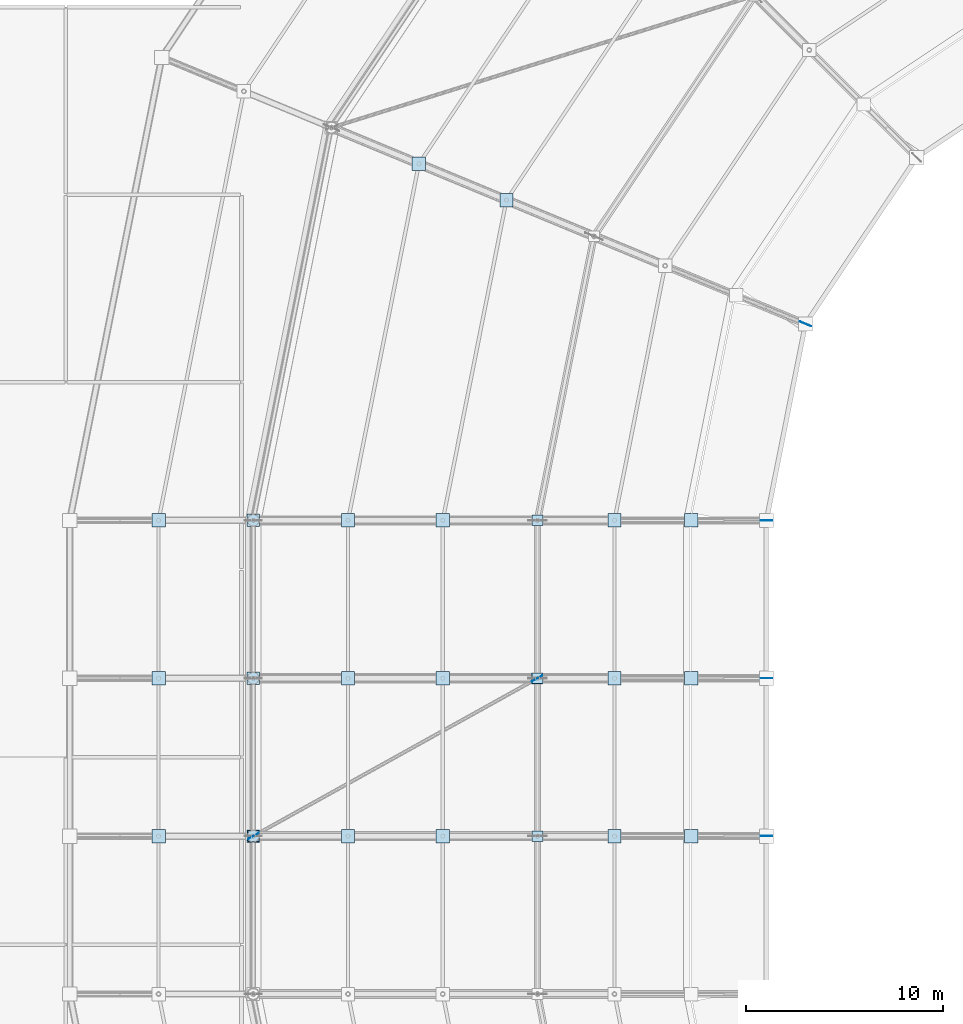
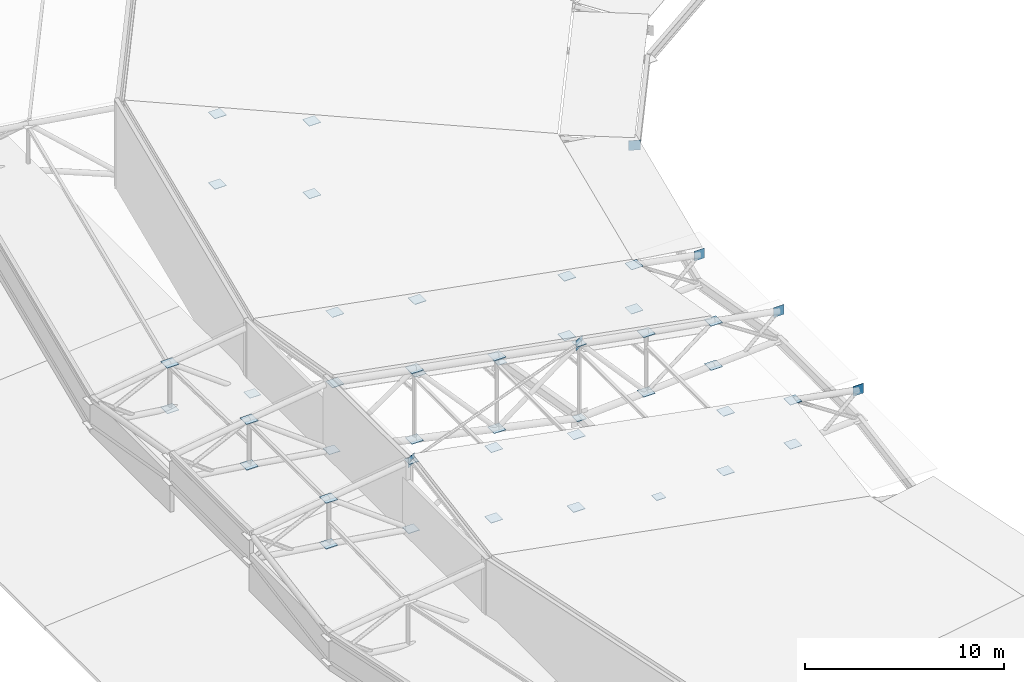
# One storey, part 130 of 146: 48 plates.
"""IFC4 building model written with IfcOpenShell, lengths in metres."""

from ifc_helpers import new_model, si_unit, direction, frame, origin, origin_2d, place, context, subcontext, project, spatial, rectangle, extrude, material, layer, layer_set, type_object, element, save


model = new_model("IFC4")

# Units and contexts
model_context = context("Model", 3, precision=1e-05, world=origin(), true_north=direction((0.0, 1.0)))
body_context = subcontext(model_context, "Body", "Model", "MODEL_VIEW")
ifc_project = project(units=[si_unit("LENGTHUNIT", "METRE"), si_unit("AREAUNIT", "SQUARE_METRE"), si_unit("VOLUMEUNIT", "CUBIC_METRE"), si_unit("PLANEANGLEUNIT", "RADIAN"), si_unit("MASSUNIT", "GRAM", prefix="KILO")], contexts=[model_context])

# Site, building, storey
site_placement = place(None, origin())
site = spatial("IfcSite", under=ifc_project, at=site_placement, CompositionType="ELEMENT")
building_placement = place(site_placement, origin())
building = spatial("IfcBuilding", under=site, at=building_placement, Name="Candeia Ridge Stadium", CompositionType="ELEMENT")
storey_placement = place(building_placement, frame((0.0, 0.0, 31.800048828125)))
storey = spatial("IfcBuildingStorey", under=building, at=storey_placement, Name="RF", CompositionType="ELEMENT", Elevation=31.800048828125)

# Plates
ifc_material = material(Name="Steel ASTM A572 Grade 50", Category="steel")
ifc_layer_1 = layer(ifc_material, 0.02490234375, Name="Steel ASTM A572 Grade 50", Category="steel")
ifc_layer_set_1 = layer_set([ifc_layer_1], Name="Steel ASTM A572 Grade 50")
plate_type_1 = type_object("IfcPlateType", Name="Hollow Section End Closure Plate CP1", PredefinedType="SHEET", material=ifc_layer_set_1)
plate_1_placement = place(storey_placement, frame((33.39990234375, 95.0, -2.676513671875), z_axis=(0.0, 0.0, 1.0), x_axis=(1.0, 0.0, 0.0)))
element("IfcPlate", 1, at=plate_1_placement, inside=storey, type_object=plate_type_1, Name="Hollow section end closure plate MCAP-T-BC-MD-11", PredefinedType="SHEET", context=body_context, shape_type="SweptSolid", body=[
    extrude(rectangle(XDim=0.5400390625, YDim=0.5400390625, at=origin_2d()), origin(), (0.0, 0.0, 1.0), 0.02490234375),
])
plate_2_placement = place(storey_placement, frame((19.0, 95.0, 0.387451171875), z_axis=(0.0, 0.0, 1.0), x_axis=(1.0, 0.0, 0.0)))
element("IfcPlate", 2, at=plate_2_placement, inside=storey, type_object=plate_type_1, Name="Hollow section end closure plate MCAP-T-BC-OU-11", PredefinedType="SHEET", context=body_context, shape_type="SweptSolid", body=[
    extrude(rectangle(XDim=0.639892578125, YDim=0.639892578125, at=origin_2d()), origin(), (0.0, 0.0, 1.0), 0.02490234375),
])
plate_3_placement = place(storey_placement, frame((33.39990234375, 87.0, -1.291015625), z_axis=(0.0, 0.0, 1.0), x_axis=(1.0, 0.0, 0.0)))
element("IfcPlate", 3, at=plate_3_placement, inside=storey, type_object=plate_type_1, Name="Hollow section end closure plate MCAP-T-BC-MD-12", PredefinedType="SHEET", context=body_context, shape_type="SweptSolid", body=[
    extrude(rectangle(XDim=0.5400390625, YDim=0.5400390625, at=origin_2d()), origin(), (0.0, 0.0, 1.0), 0.02490234375),
])
plate_4_placement = place(storey_placement, frame((19.0, 87.0, 1.773193359375), z_axis=(0.0, 0.0, 1.0), x_axis=(1.0, 0.0, 0.0)))
element("IfcPlate", 4, at=plate_4_placement, inside=storey, type_object=plate_type_1, Name="Hollow section end closure plate MCAP-T-BC-OU-12", PredefinedType="SHEET", context=body_context, shape_type="SweptSolid", body=[
    extrude(rectangle(XDim=0.639892578125, YDim=0.639892578125, at=origin_2d()), origin(), (0.0, 0.0, 1.0), 0.02490234375),
])
plate_5_placement = place(storey_placement, frame((33.39990234375, 79.0, -1.291015625), z_axis=(0.0, 0.0, 1.0), x_axis=(1.0, 0.0, 0.0)))
element("IfcPlate", 5, at=plate_5_placement, inside=storey, type_object=plate_type_1, Name="Hollow section end closure plate MCAP-T-BC-MD-13", PredefinedType="SHEET", context=body_context, shape_type="SweptSolid", body=[
    extrude(rectangle(XDim=0.5400390625, YDim=0.5400390625, at=origin_2d()), origin(), (0.0, 0.0, 1.0), 0.02490234375),
])
plate_6_placement = place(storey_placement, frame((19.0, 79.0, 1.773193359375), z_axis=(0.0, 0.0, 1.0), x_axis=(1.0, 0.0, 0.0)))
element("IfcPlate", 6, at=plate_6_placement, inside=storey, type_object=plate_type_1, Name="Hollow section end closure plate MCAP-T-BC-OU-13", PredefinedType="SHEET", context=body_context, shape_type="SweptSolid", body=[
    extrude(rectangle(XDim=0.639892578125, YDim=0.639892578125, at=origin_2d()), origin(), (0.0, 0.0, 1.0), 0.02490234375),
])
ifc_layer_2 = layer(ifc_material, 0.02490234375, Name="Steel ASTM A572 Grade 50", Category="steel")
ifc_layer_set_2 = layer_set([ifc_layer_2], Name="Steel ASTM A572 Grade 50")
plate_type_2 = type_object("IfcPlateType", Name="Hollow Section End Closure Plate CP3", PredefinedType="SHEET", material=ifc_layer_set_2)
for number, where, z_axis, x_axis, name in (
    (7, (31.827392578125, 111.225830078125, 2.8115234375), (0.0, 0.0, 1.0), (1.0, 0.0, 0.0), "Hollow section end closure plate NCAP-T-10-4"),
    (8, (31.827392578125, 111.225830078125, -1.6552734375), (0.0, 0.0, 1.0), (1.0, 0.0, 0.0), "Hollow section end closure plate NCAP-B-10-4"),
    (9, (27.392822265625, 113.062744140625, 3.699462890625), (0.0, 0.0, 1.0), (1.0, 0.0, 0.0), "Hollow section end closure plate NCAP-T-10-5"),
    (10, (27.392822265625, 113.062744140625, -0.6337890625), (0.0, 0.0, 1.0), (1.0, 0.0, 0.0), "Hollow section end closure plate NCAP-B-10-5"),
    (11, (41.199951171875, 95.0, 0.530517578125), (0.0, 0.0, 1.0), (1.0, 0.0, 0.0), "Hollow section end closure plate NCAP-T-11-1"),
    (12, (41.199951171875, 95.0, -2.186767578125), (0.0, 0.0, 1.0), (1.0, 0.0, 0.0), "Hollow section end closure plate NCAP-B-11-1"),
    (13, (37.300048828125, 95.0, 1.201904296875), (0.0, 0.0, 1.0), (1.0, 0.0, 0.0), "Hollow section end closure plate NCAP-T-11-2"),
    (14, (37.300048828125, 95.0, -2.45654296875), (0.0, 0.0, 1.0), (1.0, 0.0, 0.0), "Hollow section end closure plate NCAP-B-11-2"),
    (15, (28.60009765625, 95.0, 2.8115234375), (0.0, 0.0, 1.0), (1.0, 0.0, 0.0), "Hollow section end closure plate NCAP-T-11-4"),
    (16, (28.60009765625, 95.0, -1.6552734375), (0.0, 0.0, 1.0), (1.0, 0.0, 0.0), "Hollow section end closure plate NCAP-B-11-4"),
    (17, (23.800048828125, 95.0, 3.699462890625), (0.0, 0.0, 1.0), (1.0, 0.0, 0.0), "Hollow section end closure plate NCAP-T-11-5"),
    (18, (23.800048828125, 95.0, -0.6337890625), (0.0, 0.0, 1.0), (1.0, 0.0, 0.0), "Hollow section end closure plate NCAP-B-11-5"),
    (19, (14.199951171875, 95.0, 3.94580078125), (0.0, 0.0, 1.0), (1.0, 0.0, 0.0), "Hollow section end closure plate NCAP-T-11-7"),
    (20, (14.199951171875, 95.0, 1.139404296875), (0.0, 0.0, 1.0), (1.0, 0.0, 0.0), "Hollow section end closure plate NCAP-B-11-7"),
    (21, (41.199951171875, 87.0, 1.916015625), (0.0, 0.0, 1.0), (1.0, 0.0, 0.0), "Hollow section end closure plate NCAP-T-12-1"),
    (22, (41.199951171875, 87.0, -0.801025390625), (0.0, 0.0, 1.0), (1.0, 0.0, 0.0), "Hollow section end closure plate NCAP-B-12-1"),
    (23, (37.300048828125, 87.0, 2.587646484375), (0.0, 0.0, 1.0), (1.0, 0.0, 0.0), "Hollow section end closure plate NCAP-T-12-2"),
    (24, (37.300048828125, 87.0, -1.071044921875), (0.0, 0.0, 1.0), (1.0, 0.0, 0.0), "Hollow section end closure plate NCAP-B-12-2"),
    (25, (28.60009765625, 87.0, 4.197021484375), (0.0, 0.0, 1.0), (1.0, 0.0, 0.0), "Hollow section end closure plate NCAP-T-12-4"),
    (26, (28.60009765625, 87.0, -0.26953125), (0.0, 0.0, 1.0), (1.0, 0.0, 0.0), "Hollow section end closure plate NCAP-B-12-4"),
    (27, (23.800048828125, 87.0, 5.085205078125), (0.0, 0.0, 1.0), (1.0, 0.0, 0.0), "Hollow section end closure plate NCAP-T-12-5"),
    (28, (23.800048828125, 87.0, 0.751708984375), (0.0, 0.0, 1.0), (1.0, 0.0, 0.0), "Hollow section end closure plate NCAP-B-12-5"),
    (29, (14.199951171875, 87.0, 5.33154296875), (0.0, 0.0, 1.0), (1.0, 0.0, 0.0), "Hollow section end closure plate NCAP-T-12-7"),
    (30, (14.199951171875, 87.0, 2.52490234375), (0.0, 0.0, 1.0), (1.0, 0.0, 0.0), "Hollow section end closure plate NCAP-B-12-7"),
):
    element("IfcPlate", number, at=place(storey_placement, frame(where, z_axis=z_axis, x_axis=x_axis)), inside=storey, type_object=plate_type_2, Name=name, PredefinedType="SHEET", context=body_context, shape_type="SweptSolid", body=[
        extrude(rectangle(XDim=0.679931640625, YDim=0.679931640625, at=origin_2d()), origin(), (0.0, 0.0, 1.0), 0.02490234375),
    ])
for number, where, z_axis, x_axis, name in (
    (31, (33.3828125, 86.990478515625, 3.312255859375), (0.0, 0.0, 1.0), (1.0, 0.0, 0.0), "Hollow section end closure plate WBCAP-A-12"),
    (32, (19.017333984375, 79.009521484375, 5.969970703125), (0.0, 0.0, 1.0), (1.0, 0.0, 0.0), "Hollow section end closure plate WBCAP-B-12"),
):
    element("IfcPlate", number, at=place(storey_placement, frame(where, z_axis=z_axis, x_axis=x_axis)), inside=storey, type_object=plate_type_2, Name=name, PredefinedType="SHEET", context=body_context, shape_type="SweptSolid", body=[
        extrude(rectangle(XDim=0.550048828125, YDim=0.550048828125, at=origin_2d()), origin(), (0.0, 0.0, 1.0), 0.02490234375),
    ])
for number, where, z_axis, x_axis, name in (
    (33, (41.199951171875, 79.0, 1.916015625), (0.0, 0.0, 1.0), (1.0, 0.0, 0.0), "Hollow section end closure plate NCAP-T-13-1"),
    (34, (41.199951171875, 79.0, -0.801025390625), (0.0, 0.0, 1.0), (1.0, 0.0, 0.0), "Hollow section end closure plate NCAP-B-13-1"),
    (35, (37.300048828125, 79.0, 2.587646484375), (0.0, 0.0, 1.0), (1.0, 0.0, 0.0), "Hollow section end closure plate NCAP-T-13-2"),
    (36, (37.300048828125, 79.0, -1.071044921875), (0.0, 0.0, 1.0), (1.0, 0.0, 0.0), "Hollow section end closure plate NCAP-B-13-2"),
    (37, (28.60009765625, 79.0, 4.197021484375), (0.0, 0.0, 1.0), (1.0, 0.0, 0.0), "Hollow section end closure plate NCAP-T-13-4"),
    (38, (28.60009765625, 79.0, -0.26953125), (0.0, 0.0, 1.0), (1.0, 0.0, 0.0), "Hollow section end closure plate NCAP-B-13-4"),
    (39, (23.800048828125, 79.0, 5.085205078125), (0.0, 0.0, 1.0), (1.0, 0.0, 0.0), "Hollow section end closure plate NCAP-T-13-5"),
    (40, (23.800048828125, 79.0, 0.751708984375), (0.0, 0.0, 1.0), (1.0, 0.0, 0.0), "Hollow section end closure plate NCAP-B-13-5"),
    (41, (14.199951171875, 79.0, 5.33154296875), (0.0, 0.0, 1.0), (1.0, 0.0, 0.0), "Hollow section end closure plate NCAP-T-13-7"),
    (42, (14.199951171875, 79.0, 2.52490234375), (0.0, 0.0, 1.0), (1.0, 0.0, 0.0), "Hollow section end closure plate NCAP-B-13-7"),
):
    element("IfcPlate", number, at=place(storey_placement, frame(where, z_axis=z_axis, x_axis=x_axis)), inside=storey, type_object=plate_type_2, Name=name, PredefinedType="SHEET", context=body_context, shape_type="SweptSolid", body=[
        extrude(rectangle(XDim=0.679931640625, YDim=0.679931640625, at=origin_2d()), origin(), (0.0, 0.0, 1.0), 0.02490234375),
    ])
ifc_layer_3 = layer(ifc_material, 0.02392578125, Name="Steel ASTM A572 Grade 50", Category="steel")
ifc_layer_set_3 = layer_set([ifc_layer_3], Name="Steel ASTM A572 Grade 50")
plate_type_3 = type_object("IfcPlateType", Name="Roof Truss Chord-Web Node Gusset ND-3", PredefinedType="USERDEFINED", material=ifc_layer_set_3)
for number, where, z_axis, x_axis, name in (
    (43, (46.979248046875, 104.94970703125, -0.460205078125), (0.0, 0.0, 1.0), (-0.923879532077, 0.382683433413, 0.0), "Roof truss tip gusset node ND-3 bay 11"),
    (44, (45.0, 95.0, -0.460205078125), (0.0, 0.0, 1.0), (-1.0, 0.0, 0.0), "Roof truss tip gusset node ND-3 bay 12"),
    (45, (45.0, 87.0, 0.925537109375), (0.0, 0.0, 1.0), (-1.0, 0.0, 0.0), "Roof truss tip gusset node ND-3 bay 13"),
    (46, (33.3828125, 86.990478515625, 3.024658203125), (0.0, 0.0, 1.0), (-0.874157310866, -0.485642868639, 0.0), "Roof wind brace end gusset A bay 13"),
    (47, (19.017333984375, 79.009521484375, 5.682373046875), (0.0, 0.0, 1.0), (-0.874157310866, -0.485642868639, 0.0), "Roof wind brace end gusset B bay 13"),
    (48, (45.0, 79.0, 0.925537109375), (0.0, 0.0, 1.0), (-1.0, 0.0, 0.0), "Roof truss tip gusset node ND-3 bay 14"),
):
    element("IfcPlate", number, at=place(storey_placement, frame(where, z_axis=z_axis, x_axis=x_axis)), inside=storey, type_object=plate_type_3, Name=name, ObjectType="GUSSET PLATE", PredefinedType="USERDEFINED", context=body_context, shape_type="SweptSolid", body=[
        extrude(rectangle(XDim=0.60009765625, YDim=0.02392578125, at=origin_2d()), origin(), (0.0, 0.0, 1.0), 0.60009765625),
    ])

save(model, "model.ifc")
